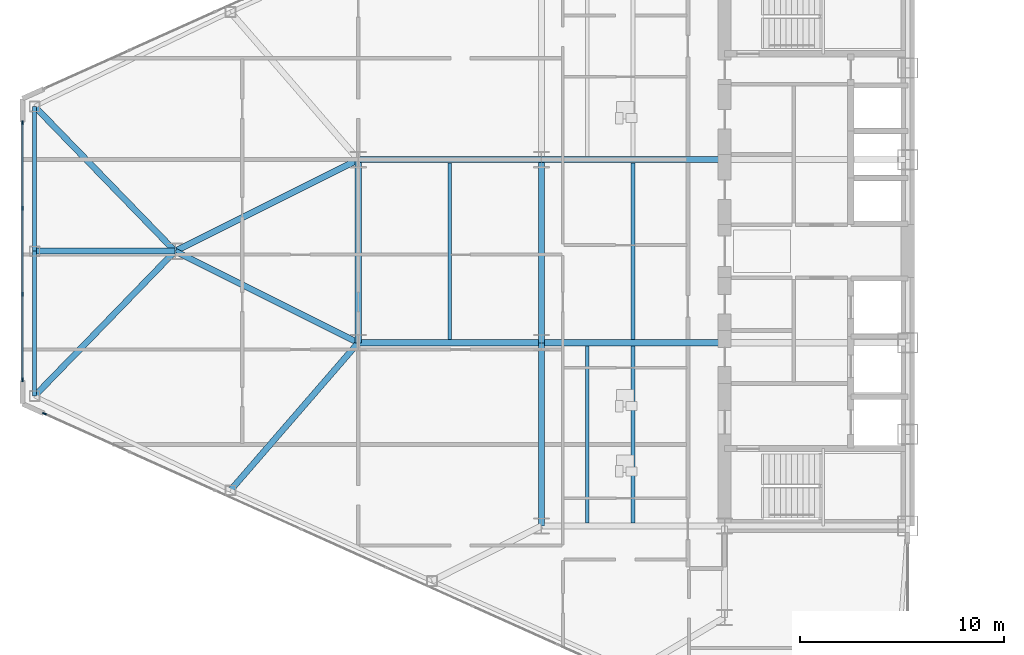
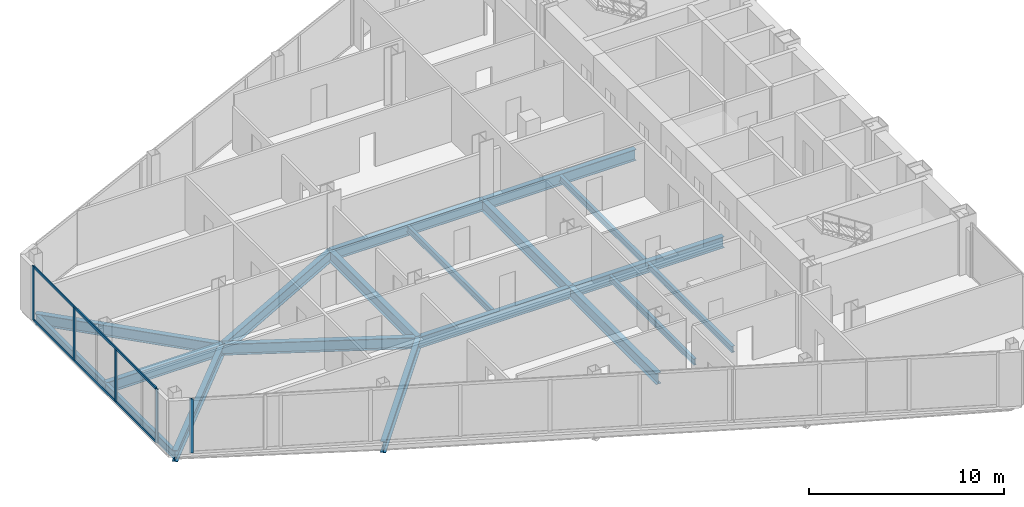
# One storey, part 5 of 27: 19 beams, 7 members, 2 elements without a shape of their own.
"""IFC4 building model written with IfcOpenShell, lengths in metres."""

from ifc_helpers import new_model, si_unit, direction, frame, origin, origin_2d, place, context, subcontext, project, spatial, rectangle, i_section, extrude, source, transform, mapped, material, layer, layer_set, material_profile, profile_set, type_object, type_shapes, element, aggregate, save


model = new_model("IFC4")

# Units and contexts
model_context = context("Model", 3, precision=1e-05, world=origin(), true_north=direction((0.0, 1.0)))
body_context = subcontext(model_context, "Body", "Model", "MODEL_VIEW")
ifc_project = project(units=[si_unit("LENGTHUNIT", "METRE"), si_unit("AREAUNIT", "SQUARE_METRE"), si_unit("VOLUMEUNIT", "CUBIC_METRE"), si_unit("PLANEANGLEUNIT", "RADIAN"), si_unit("MASSUNIT", "GRAM", prefix="KILO")], contexts=[model_context])

# Site, building, storey
site_placement = place(None, origin())
site = spatial("IfcSite", under=ifc_project, at=site_placement, CompositionType="ELEMENT")
building_placement = place(site_placement, origin())
building = spatial("IfcBuilding", under=site, at=building_placement, Name="Seokmaru Belvedere", CompositionType="ELEMENT")
storey_placement = place(building_placement, frame((0.0, 0.0, 72.89990234375)))
storey = spatial("IfcBuildingStorey", under=building, at=storey_placement, Name="L19", CompositionType="ELEMENT", Elevation=72.89990234375)

# Beams
ifc_material_1 = material(Name="Steel SM355 (355 MPa)", Category="steel")
ifc_material_profile_1 = material_profile(ifc_material_1, i_section(OverallWidth=0.300048828125, OverallDepth=0.699951171875, WebThickness=0.012939453125, FlangeThickness=0.02392578125, at=origin_2d()), Name="H-700x300x13x24")
ifc_profile_set_1 = profile_set([ifc_material_profile_1], Name="Steel SM355 (355 MPa)")
beam_type_1 = type_object("IfcBeamType", Name="Primary Floor Girder H-700", PredefinedType="BEAM", material=ifc_profile_set_1)
shared_shape_1 = source(origin(), body_context, "Body", "SweptSolid", [
    extrude(i_section(OverallWidth=0.300048828125, OverallDepth=0.699951171875, WebThickness=0.012939453125, FlangeThickness=0.02392578125, at=origin_2d()), origin(), (0.0, 0.0, 1.0), 9.0),
])
for number, where, z_axis, x_axis, name in (
    (1, (-45.5, -13.5, -0.56982421875), (0.0, 1.0, 0.0), (-1.0, 0.0, 0.0), "L19 W Interior Grid Girder 1"),
    (2, (-45.5, -4.5, -0.56982421875), (0.0, 1.0, 0.0), (-1.0, 0.0, 0.0), "L19 W Interior Grid Girder 2"),
    (3, (-45.5, -4.5, -0.56982421875), (1.0, 0.0, 0.0), (0.0, 1.0, 0.0), "L19 W Wing Primary Girder 2"),
    (4, (-45.5, 4.5, -0.56982421875), (1.0, 0.0, 0.0), (0.0, 1.0, 0.0), "L19 W Wing Primary Girder 3"),
    (5, (-54.5, -4.5, -0.56982421875), (1.0, 0.0, 0.0), (0.0, 1.0, 0.0), "L19 W Outer Wing Girder 1"),
    (6, (-54.5, 4.5, -0.56982421875), (1.0, 0.0, 0.0), (0.0, 1.0, 0.0), "L19 W Outer Wing Girder 2"),
    (7, (-54.5, -4.5, -0.56982421875), (0.0, 1.0, 0.0), (-1.0, 0.0, 0.0), "L19 W Apex Frame Girder"),
):
    element("IfcBeam", number, at=place(storey_placement, frame(where, z_axis=z_axis, x_axis=x_axis)), inside=storey, type_object=beam_type_1, Name=name, PredefinedType="BEAM", context=body_context, shape_type="MappedRepresentation", body=[
        mapped(shared_shape_1, transform((0.0, 0.0, 0.0), scale=1.0)),
    ])
shared_shape_2 = source(origin(), body_context, "Body", "SweptSolid", [
    extrude(i_section(OverallWidth=0.300048828125, OverallDepth=0.699951171875, WebThickness=0.012939453125, FlangeThickness=0.02392578125, at=origin_2d()), origin(), (0.0, 0.0, 1.0), 10.062255859375),
])
for number, where, z_axis, x_axis, name in (
    (8, (-54.5, -4.5, -0.56982421875), (-0.894427191, 0.4472135955, 0.0), (-0.4472135955, -0.894427191, 0.0), "L19 W Apex Converging Girder 1"),
    (9, (-54.5, 4.5, -0.56982421875), (-0.894427191, -0.4472135955, 0.0), (0.4472135955, -0.894427191, 0.0), "L19 W Apex Converging Girder 2"),
):
    element("IfcBeam", number, at=place(storey_placement, frame(where, z_axis=z_axis, x_axis=x_axis)), inside=storey, type_object=beam_type_1, Name=name, PredefinedType="BEAM", context=body_context, shape_type="MappedRepresentation", body=[
        mapped(shared_shape_2, transform((0.0, 0.0, 0.0), scale=1.0)),
    ])
ifc_material_profile_2 = material_profile(ifc_material_1, i_section(OverallWidth=0.18505859375, OverallDepth=0.389892578125, WebThickness=0.008056640625, FlangeThickness=0.011962890625, at=origin_2d()), Name="H-390x185x8x12")
ifc_profile_set_2 = profile_set([ifc_material_profile_2], Name="Steel SM355 (355 MPa)")
beam_type_2 = type_object("IfcBeamType", Name="Secondary Floor Joist H-350", PredefinedType="JOIST", material=ifc_profile_set_2)
shared_shape_3 = source(origin(), body_context, "Body", "SweptSolid", [
    extrude(i_section(OverallWidth=0.18505859375, OverallDepth=0.389892578125, WebThickness=0.008056640625, FlangeThickness=0.011962890625, at=origin_2d()), origin(), (0.0, 0.0, 1.0), 8.68994140625),
])
type_shapes(beam_type_2, [shared_shape_3])
for number, where, z_axis, x_axis, name in (
    (10, (-43.25, -13.344970703125, -0.414794921875), (0.0, 1.0, 0.0), (-1.0, 0.0, 0.0), "L19 W Wing Inner Secondary Joist 1"),
    (11, (-41.0, -13.344970703125, -0.414794921875), (0.0, 1.0, 0.0), (-1.0, 0.0, 0.0), "L19 W Secondary Floor Joist 1"),
    (12, (-41.0, -4.344970703125, -0.414794921875), (0.0, 1.0, 0.0), (-1.0, 0.0, 0.0), "L19 W Secondary Floor Joist 2"),
    (13, (-50.0, -4.344970703125, -0.414794921875), (0.0, 1.0, 0.0), (-1.0, 0.0, 0.0), "L19 W Outer Bay Secondary Joist"),
):
    element("IfcBeam", number, at=place(storey_placement, frame(where, z_axis=z_axis, x_axis=x_axis)), inside=storey, type_object=beam_type_2, Name=name, PredefinedType="JOIST", context=body_context, shape_type="MappedRepresentation", body=[
        mapped(shared_shape_3, transform((0.0, 0.0, 0.0), scale=1.0)),
    ])
ifc_material_profile_3 = material_profile(ifc_material_1, i_section(OverallWidth=0.199951171875, OverallDepth=0.5, WebThickness=0.010009765625, FlangeThickness=0.01611328125, at=origin_2d()), Name="H-500x200x10x16")
ifc_profile_set_3 = profile_set([ifc_material_profile_3], Name="Steel SM355 (355 MPa)")
beam_type_3 = type_object("IfcBeamType", Name="Perimeter Spandrel Beam H-500", PredefinedType="SPANDREL", material=ifc_profile_set_3)
shared_shape_4 = source(origin(), body_context, "Body", "SweptSolid", [
    extrude(i_section(OverallWidth=0.199951171875, OverallDepth=0.5, WebThickness=0.010009765625, FlangeThickness=0.01611328125, at=origin_2d()), origin(), (0.0, 0.0, 1.0), 7.112060546875),
])
type_shapes(beam_type_3, [shared_shape_4])
for number, where, z_axis, x_axis, name in (
    (14, (-70.39990234375, -7.112060546875, -0.469970703125), (0.0, 1.0, 0.0), (-1.0, 0.0, 0.0), "L19 W Faceted Apex Spandrel S"),
    (15, (-70.39990234375, 0.0, -0.469970703125), (0.0, 1.0, 0.0), (-1.0, 0.0, 0.0), "L19 W Faceted Apex Spandrel N"),
):
    element("IfcBeam", number, at=place(storey_placement, frame(where, z_axis=z_axis, x_axis=x_axis)), inside=storey, type_object=beam_type_3, Name=name, PredefinedType="SPANDREL", context=body_context, shape_type="MappedRepresentation", body=[
        mapped(shared_shape_4, transform((0.0, 0.0, 0.0), scale=1.0)),
    ])
shared_shape_5 = source(origin(), body_context, "Body", "SweptSolid", [
    extrude(i_section(OverallWidth=0.300048828125, OverallDepth=0.699951171875, WebThickness=0.012939453125, FlangeThickness=0.02392578125, at=origin_2d()), origin(), (0.0, 0.0, 1.0), 9.589599609375),
])
beam_1_placement = place(storey_placement, frame((-60.777587890625, -11.749267578125, -0.56982421875), z_axis=(0.654626140929, 0.755952786629, 0.0), x_axis=(-0.755952786629, 0.654626140929, 0.0)))
element("IfcBeam", 16, at=beam_1_placement, inside=storey, type_object=beam_type_1, Name="L19 W Flank Radial Floor Girder S-3", PredefinedType="BEAM", context=body_context, shape_type="MappedRepresentation", body=[
    mapped(shared_shape_5, transform((0.0, 0.0, 0.0), scale=1.0)),
])
shared_shape_6 = source(origin(), body_context, "Body", "SweptSolid", [
    extrude(i_section(OverallWidth=0.300048828125, OverallDepth=0.699951171875, WebThickness=0.012939453125, FlangeThickness=0.02392578125, at=origin_2d()), origin(), (0.0, 0.0, 1.0), 9.9091796875),
])
for number, where, z_axis, x_axis, name in (
    (17, (-70.39990234375, -7.112060546875, -0.56982421875), (0.6963205089, 0.717730972499, 0.0), (-0.717730972499, 0.6963205089, 0.0), "L19 W Apex Radial Floor Girder 1"),
    (18, (-70.39990234375, 7.112060546875, -0.56982421875), (0.6963205089, -0.717730972499, 0.0), (0.717730972499, 0.6963205089, 0.0), "L19 W Apex Radial Floor Girder 2"),
):
    element("IfcBeam", number, at=place(storey_placement, frame(where, z_axis=z_axis, x_axis=x_axis)), inside=storey, type_object=beam_type_1, Name=name, PredefinedType="BEAM", context=body_context, shape_type="MappedRepresentation", body=[
        mapped(shared_shape_6, transform((0.0, 0.0, 0.0), scale=1.0)),
    ])
shared_shape_7 = source(origin(), body_context, "Body", "SweptSolid", [
    extrude(i_section(OverallWidth=0.300048828125, OverallDepth=0.699951171875, WebThickness=0.012939453125, FlangeThickness=0.02392578125, at=origin_2d()), origin(), (0.0, 0.0, 1.0), 6.89990234375),
])
type_shapes(beam_type_1, [shared_shape_1, shared_shape_2, shared_shape_5, shared_shape_6, shared_shape_7])
beam_2_placement = place(storey_placement, frame((-70.39990234375, 0.0, -0.56982421875), z_axis=(1.0, 0.0, 0.0), x_axis=(0.0, 1.0, 0.0)))
element("IfcBeam", 19, at=beam_2_placement, inside=storey, type_object=beam_type_1, Name="L19 W Apex Center Radial Girder", PredefinedType="BEAM", context=body_context, shape_type="MappedRepresentation", body=[
    mapped(shared_shape_7, transform((0.0, 0.0, 0.0), scale=1.0)),
])

# Curtain wall, members
ifc_material_2 = material(Name="Bronze Triple Insulating Glass", Category="glass")
ifc_layer = layer(ifc_material_2, 0.195068359375)
ifc_layer_set = layer_set([ifc_layer], Name="Bronze Triple Insulating Glass")
curtain_wall_type = type_object("IfcCurtainWallType", Name="Lower-Mid Tapered Curtain Wall System CW-3", PredefinedType="NOTDEFINED", material=ifc_layer_set)
curtain_wall_1_placement = place(storey_placement, origin())
curtain_wall_1 = element("IfcCurtainWall", 20, at=curtain_wall_1_placement, inside=storey, type_object=curtain_wall_type, Name="L19 Curtain Wall WF4", PredefinedType="NOTDEFINED")
ifc_material_3 = material(Name="Anodised Bronze Aluminium", Category="aluminium")
ifc_material_profile_4 = material_profile(ifc_material_3, rectangle(XDim=0.070068359375, YDim=0.195068359375, at=origin_2d()), Name="CW-M-70x195")
ifc_profile_set_4 = profile_set([ifc_material_profile_4], Name="Anodised Bronze Aluminium")
member_type_1 = type_object("IfcMemberType", Name="Bronze Unitised Mullion 70x195", PredefinedType="MULLION", material=ifc_profile_set_4)
shared_shape_8 = source(origin(), body_context, "Body", "SweptSolid", [
    extrude(rectangle(XDim=0.070068359375, YDim=0.195068359375, at=origin_2d()), origin(), (0.0, 0.0, 1.0), 3.239990234375),
])
member_1_placement = place(storey_placement, frame((-71.0, 2.11669921875, 0.070068359375), z_axis=(0.0, 0.0, 1.0), x_axis=(1.0, 0.0, 0.0)))
member_1 = element("IfcMember", 21, at=member_1_placement, type_object=member_type_1, Name="CW:L19:WF4 Mullion 2", PredefinedType="MULLION", context=body_context, shape_type="MappedRepresentation", body=[
    mapped(shared_shape_8, transform((0.0, 0.0, 0.0), scale=1.0)),
])
member_2_placement = place(storey_placement, frame((-71.0, -2.11669921875, 0.070068359375), z_axis=(0.0, 0.0, 1.0), x_axis=(1.0, 0.0, 0.0)))
member_2 = element("IfcMember", 22, at=member_2_placement, type_object=member_type_1, Name="CW:L19:WF4 Mullion 3", PredefinedType="MULLION", context=body_context, shape_type="MappedRepresentation", body=[
    mapped(shared_shape_8, transform((0.0, 0.0, 0.0), scale=1.0)),
])
ifc_material_profile_5 = material_profile(ifc_material_3, rectangle(XDim=0.070068359375, YDim=0.1650390625, at=origin_2d()), Name="CW-T-70x165")
ifc_profile_set_5 = profile_set([ifc_material_profile_5], Name="Anodised Bronze Aluminium")
member_type_2 = type_object("IfcMemberType", Name="Bronze Unitised Transom 70x165", PredefinedType="USERDEFINED", material=ifc_profile_set_5)
shared_shape_9 = source(origin(), body_context, "Body", "SweptSolid", [
    extrude(rectangle(XDim=0.070068359375, YDim=0.1650390625, at=origin_2d()), origin(), (0.0, 0.0, 1.0), 12.56005859375),
])
type_shapes(member_type_2, [shared_shape_9])
member_3_placement = place(storey_placement, frame((-71.0, 6.280029296875, 0.03515625), z_axis=(0.0, -1.0, 0.0), x_axis=(1.0, 0.0, 0.0)))
member_3 = element("IfcMember", 23, at=member_3_placement, type_object=member_type_2, Name="CW:L19:WF4 Continuous Transom 1", ObjectType="TRANSOM", PredefinedType="USERDEFINED", context=body_context, shape_type="MappedRepresentation", body=[
    mapped(shared_shape_9, transform((0.0, 0.0, 0.0), scale=1.0)),
])
member_4_placement = place(storey_placement, frame((-71.0, 6.280029296875, 3.34521484375), z_axis=(0.0, -1.0, 0.0), x_axis=(1.0, 0.0, 0.0)))
member_4 = element("IfcMember", 24, at=member_4_placement, type_object=member_type_2, Name="CW:L19:WF4 Continuous Transom 2", ObjectType="TRANSOM", PredefinedType="USERDEFINED", context=body_context, shape_type="MappedRepresentation", body=[
    mapped(shared_shape_9, transform((0.0, 0.0, 0.0), scale=1.0)),
])
shared_shape_10 = source(origin(), body_context, "Body", "SweptSolid", [
    extrude(rectangle(XDim=0.070068359375, YDim=0.195068359375, at=origin_2d()), origin(), (0.0, 0.0, 1.0), 3.380126953125),
])
type_shapes(member_type_1, [shared_shape_8, shared_shape_10])
member_5_placement = place(storey_placement, frame((-71.0, 6.31494140625, 0.0), z_axis=(0.0, 0.0, 1.0), x_axis=(1.0, 0.0, 0.0)))
member_5 = element("IfcMember", 25, at=member_5_placement, type_object=member_type_1, Name="CW:L19:WF4 Mullion 1", PredefinedType="MULLION", context=body_context, shape_type="MappedRepresentation", body=[
    mapped(shared_shape_10, transform((0.0, 0.0, 0.0), scale=1.0)),
])
member_6_placement = place(storey_placement, frame((-71.0, -6.31494140625, 0.0), z_axis=(0.0, 0.0, 1.0), x_axis=(1.0, 0.0, 0.0)))
member_6 = element("IfcMember", 26, at=member_6_placement, type_object=member_type_1, Name="CW:L19:WF4 Mullion 4", PredefinedType="MULLION", context=body_context, shape_type="MappedRepresentation", body=[
    mapped(shared_shape_10, transform((0.0, 0.0, 0.0), scale=1.0)),
])
aggregate(curtain_wall_1, [member_5, member_1, member_2, member_6, member_3, member_4])

# Curtain wall, member
curtain_wall_2_placement = place(storey_placement, origin())
curtain_wall_2 = element("IfcCurtainWall", 27, at=curtain_wall_2_placement, inside=storey, type_object=curtain_wall_type, Name="L19 Curtain Wall WF5", PredefinedType="NOTDEFINED")
member_7_placement = place(storey_placement, frame((-69.91943359375, -7.986328125, 0.0), z_axis=(0.0, 0.0, 1.0), x_axis=(0.41036554765, 0.91192111353, 0.0)))
member_7 = element("IfcMember", 28, at=member_7_placement, type_object=member_type_1, Name="CW:L19:WF5 Mullion 1", PredefinedType="MULLION", context=body_context, shape_type="MappedRepresentation", body=[
    mapped(shared_shape_10, transform((0.0, 0.0, 0.0), scale=1.0)),
])
aggregate(curtain_wall_2, [member_7])

save(model, "model.ifc")
